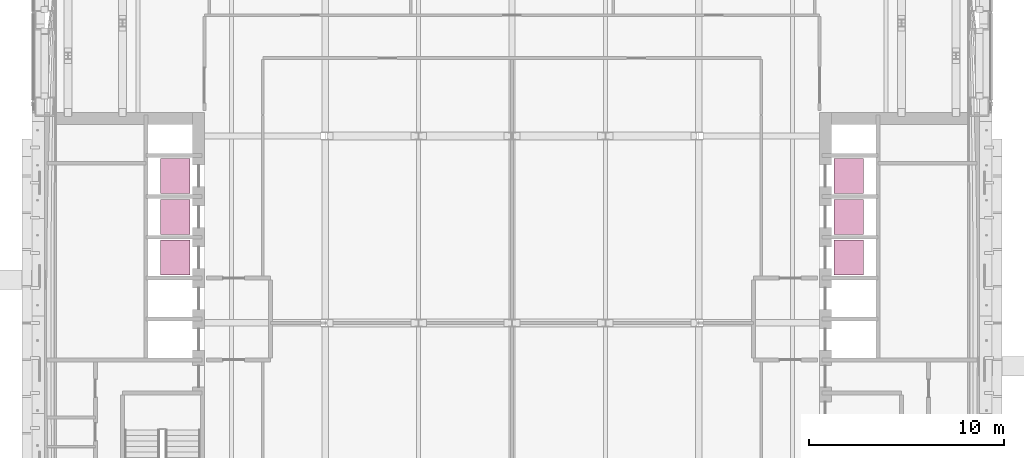
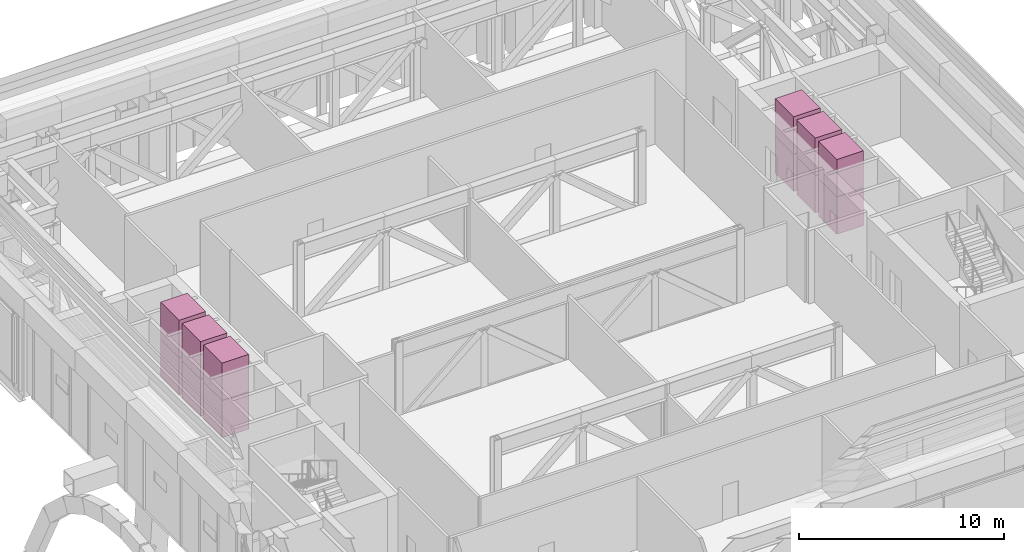
# One storey, part 39 of 39: 12 transport elements.
"""IFC4 building model written with IfcOpenShell, lengths in metres."""

import ifcopenshell
import ifcopenshell.guid

model = None  # the IFC model being written
_history = None  # IfcOwnerHistory: only IFC2X3 demands one
_inside = {}  # id of a spatial element -> (the spatial element, [elements in it])
_under = {}  # id of a project, library or spatial element -> (it, [spatial elements below it])
_declared = {}  # id of a project -> (the project, [libraries it declares])
_typed = {}  # id of a type object -> (the type object, [elements of that type])
_made_of = {}  # id of a material, layer set ... -> (it, [elements and type objects made of it])


def new_model(schema):
    """Start an empty IFC model of exactly this schema.

    Asked for "IFC4X3", IfcOpenShell would pick the latest addendum, in which some entities
    have other attributes; the version numbers below select the first issue.
    IFC2X3 requires an IfcOwnerHistory on every rooted entity: one is made here for all.
    """
    global model, _history
    if schema == "IFC4X3":
        model = ifcopenshell.file(schema_version=(4, 3, 0, 0))
    else:
        model = ifcopenshell.file(schema=schema)
    _inside.clear()
    _under.clear()
    _declared.clear()
    _typed.clear()
    _made_of.clear()
    _history = None
    if model.schema == "IFC2X3":
        org = make("IfcOrganization", Name="unknown")
        user = make(
            "IfcPersonAndOrganization",
            ThePerson=make("IfcPerson", FamilyName="unknown"),
            TheOrganization=org,
        )
        app = make(
            "IfcApplication",
            ApplicationDeveloper=org,
            Version="unknown",
            ApplicationFullName="unknown",
            ApplicationIdentifier="unknown",
        )
        _history = make(
            "IfcOwnerHistory",
            OwningUser=user,
            OwningApplication=app,
            ChangeAction="ADDED",
            CreationDate=0,
        )
    return model


def make(cls, **values):
    """One entity of the class cls with the attributes given. An attribute that is None is left unset."""
    return model.create_entity(
        cls, **{name: value for name, value in values.items() if value is not None}
    )


def rooted(cls, **values):
    """An entity with a GlobalId (a new one), such as an element, a storey or a relation."""
    return make(cls, GlobalId=ifcopenshell.guid.new(), OwnerHistory=_history, **values)


def si_unit(unit_type, name, prefix=None):
    """IfcSIUnit, for example si_unit("LENGTHUNIT", "METRE", prefix="MILLI")."""
    return make("IfcSIUnit", UnitType=unit_type, Prefix=prefix, Name=name)


def assignment(units):
    """IfcUnitAssignment: the units of a project."""
    return None if units is None else make("IfcUnitAssignment", Units=units)


def point(xyz):
    """IfcCartesianPoint."""
    return None if xyz is None else make("IfcCartesianPoint", Coordinates=xyz)


def direction(xyz):
    """IfcDirection."""
    return None if xyz is None else make("IfcDirection", DirectionRatios=xyz)


def frame(location, z_axis=None, x_axis=None):
    """IfcAxis2Placement3D, a coordinate frame: its origin and axes. An axis left out is left unset."""
    return make(
        "IfcAxis2Placement3D",
        Location=point(location),
        Axis=direction(z_axis),
        RefDirection=direction(x_axis),
    )


def frame_2d(location, x_axis=None):
    """IfcAxis2Placement2D, a coordinate frame in the plane: its origin and x axis."""
    return make(
        "IfcAxis2Placement2D", Location=point(location), RefDirection=direction(x_axis)
    )


def origin():
    """The frame at (0, 0, 0) with its axes left unset."""
    return frame((0.0, 0.0, 0.0))


def origin_2d():
    """The frame at (0, 0) in the plane with its x axis left unset."""
    return frame_2d((0.0, 0.0))


def place(relative_to, where):
    """IfcLocalPlacement: puts the frame where relative to a parent placement (None: the world)."""
    return make(
        "IfcLocalPlacement", PlacementRelTo=relative_to, RelativePlacement=where
    )


def context(
    kind, dimensions, precision=None, world=None, true_north=None, identifier=None
):
    """IfcGeometricRepresentationContext, for example the 3D "Model" context."""
    return make(
        "IfcGeometricRepresentationContext",
        ContextIdentifier=identifier,
        ContextType=kind,
        CoordinateSpaceDimension=dimensions,
        Precision=precision,
        WorldCoordinateSystem=world,
        TrueNorth=true_north,
    )


def subcontext(parent, identifier, kind, view, scale=None):
    """IfcGeometricRepresentationSubContext, for example "Body" below "Model"."""
    return make(
        "IfcGeometricRepresentationSubContext",
        ContextIdentifier=identifier,
        ContextType=kind,
        ParentContext=parent,
        TargetScale=scale,
        TargetView=view,
    )


def project(units=None, contexts=None):
    """IfcProject with its units and contexts."""
    return rooted(
        "IfcProject",
        Name="project",
        RepresentationContexts=contexts,
        UnitsInContext=assignment(units),
    )


def spatial(cls, under=None, at=None, **own):
    """A site, building, storey or space (cls), placed at a placement, below another one or the project."""
    s = rooted(cls, ObjectPlacement=at, **own)
    if under is not None:
        _under.setdefault(under.id(), (under, []))[1].append(s)
    return s


def profile(cls, at=None, kind="AREA", **sizes):
    """A parametric profile (cls). Its sizes go by their IFC names, for example OverallWidth=200.0."""
    return make(cls, ProfileType=kind, Position=at, **sizes)


def rectangle(**sizes):
    """IfcRectangleProfileDef."""
    return profile("IfcRectangleProfileDef", **sizes)


def extrude(swept, where, along, depth):
    """IfcExtrudedAreaSolid: the profile swept, set in the frame where, extruded along a direction by depth."""
    return make(
        "IfcExtrudedAreaSolid",
        SweptArea=swept,
        Position=where,
        ExtrudedDirection=direction(along),
        Depth=depth,
    )


def shape(context_of_items, identifier, shape_type, items):
    """IfcShapeRepresentation: the items that make up one representation, for example the "Body"."""
    return make(
        "IfcShapeRepresentation",
        ContextOfItems=context_of_items,
        RepresentationIdentifier=identifier,
        RepresentationType=shape_type,
        Items=items,
    )


def material(Name=None, Category=None):
    """IfcMaterial."""
    return make("IfcMaterial", Name=Name, Category=Category)


def made_of(thing, what):
    """Note that an element or type object is made of a material, layer set ...; save() writes the relation."""
    if what is not None:
        _made_of.setdefault(what.id(), (what, []))[1].append(thing)
    return thing


def type_object(cls, material=None, **own):
    """A type object (cls), such as IfcWallType, which elements share."""
    return made_of(rooted(cls, **own), material)


def element(
    cls,
    number,
    at=None,
    inside=None,
    cuts=None,
    type_object=None,
    material=None,
    context=None,
    identifier="Body",
    shape_type=None,
    held_by="IfcProductDefinitionShape",
    body=None,
    shapes=None,
    **own,
):
    """One element of the class cls, such as IfcWall. Its Tag is "e" and its number.

    at: its placement. inside: the storey or other place that contains it. cuts: it is an
    opening in that element (IfcRelVoidsElement). A single representation is given by context,
    identifier, shape_type and body (its items); several are given by shapes. held_by: the class
    of the entity that holds the representations. save() writes the other relations.
    """
    e = rooted(cls, Tag="e%d" % number, ObjectPlacement=at, **own)
    if body is not None:
        shapes = [shape(context, identifier, shape_type, body)]
    if shapes is not None:
        e.Representation = make(held_by, Representations=shapes)
    if inside is not None:
        _inside.setdefault(inside.id(), (inside, []))[1].append(e)
    if cuts is not None:
        rooted(
            "IfcRelVoidsElement", RelatingBuildingElement=cuts, RelatedOpeningElement=e
        )
    if type_object is not None:
        _typed.setdefault(type_object.id(), (type_object, []))[1].append(e)
    return made_of(e, material)


def aggregate(whole, parts):
    """IfcRelAggregates: a whole, such as a stair, and the parts it consists of."""
    return rooted("IfcRelAggregates", RelatingObject=whole, RelatedObjects=parts)


def save(model, path):
    """Write the relations noted so far, then the file.

    IfcRelAggregates (storeys below a building ...), IfcRelContainedInSpatialStructure (elements
    in a storey), IfcRelDefinesByType, IfcRelAssociatesMaterial and IfcRelDeclares: one each for
    every whole, place, type object, material and project.
    """
    for whole, parts in _under.values():
        aggregate(whole, parts)
    for where, things in _inside.values():
        rooted(
            "IfcRelContainedInSpatialStructure",
            RelatedElements=things,
            RelatingStructure=where,
        )
    for kind, things in _typed.values():
        rooted("IfcRelDefinesByType", RelatedObjects=things, RelatingType=kind)
    for what, things in _made_of.values():
        rooted("IfcRelAssociatesMaterial", RelatedObjects=things, RelatingMaterial=what)
    for by, libraries in _declared.values():
        rooted("IfcRelDeclares", RelatingContext=by, RelatedDefinitions=libraries)
    model.write(path)


model = new_model("IFC4")

# Units and contexts
model_context = context("Model", 3, precision=1e-05, world=origin(), true_north=direction((0.0, 1.0)))
body_context = subcontext(model_context, "Body", "Model", "MODEL_VIEW")
ifc_project = project(units=[si_unit("LENGTHUNIT", "METRE"), si_unit("AREAUNIT", "SQUARE_METRE"), si_unit("VOLUMEUNIT", "CUBIC_METRE"), si_unit("PLANEANGLEUNIT", "RADIAN"), si_unit("MASSUNIT", "GRAM", prefix="KILO")], contexts=[model_context])

# Site, building, storey
site_placement = place(None, origin())
site = spatial("IfcSite", under=ifc_project, at=site_placement, CompositionType="ELEMENT")
building_placement = place(site_placement, origin())
building = spatial("IfcBuilding", under=site, at=building_placement, Name="Cobrizo Arcos Hotel Tower", CompositionType="ELEMENT")
storey_placement = place(building_placement, frame((0.0, 0.0, 84.5)))
storey = spatial("IfcBuildingStorey", under=building, at=storey_placement, Name="L20", CompositionType="ELEMENT", Elevation=84.5)

# Transport elements
ifc_material = material(Name="Stainless steel car", Category="steel")
transport_element_type = type_object("IfcTransportElementType", Name="Lift car Low 1.8x1.5", PredefinedType="ELEVATOR", material=ifc_material)
for number, where, z_axis, x_axis, name in (
    (1, (-17.300048828125, 3.35009765625, 0.0), (0.0, 0.0, 1.0), (1.0, 0.0, 0.0), "Low-rise passenger lift W1"),
    (2, (-17.300048828125, 3.35009765625, 2.224853515625), (0.0, 0.0, 1.0), (1.0, 0.0, 0.0), "Low-rise passenger lift W1"),
    (3, (-17.300048828125, 5.449951171875, 0.0), (0.0, 0.0, 1.0), (1.0, 0.0, 0.0), "Low-rise passenger lift W2"),
    (4, (-17.300048828125, 5.449951171875, 2.224853515625), (0.0, 0.0, 1.0), (1.0, 0.0, 0.0), "Low-rise passenger lift W2"),
    (5, (-17.300048828125, 7.550048828125, 0.0), (0.0, 0.0, 1.0), (1.0, 0.0, 0.0), "Low-rise passenger lift W3"),
    (6, (-17.300048828125, 7.550048828125, 2.224853515625), (0.0, 0.0, 1.0), (1.0, 0.0, 0.0), "Low-rise passenger lift W3"),
    (7, (17.300048828125, 3.35009765625, 0.0), (0.0, 0.0, 1.0), (1.0, 0.0, 0.0), "Low-rise passenger lift E1"),
    (8, (17.300048828125, 3.35009765625, 2.224853515625), (0.0, 0.0, 1.0), (1.0, 0.0, 0.0), "Low-rise passenger lift E1"),
    (9, (17.300048828125, 5.449951171875, 0.0), (0.0, 0.0, 1.0), (1.0, 0.0, 0.0), "Low-rise passenger lift E2"),
    (10, (17.300048828125, 5.449951171875, 2.224853515625), (0.0, 0.0, 1.0), (1.0, 0.0, 0.0), "Low-rise passenger lift E2"),
    (11, (17.300048828125, 7.550048828125, 0.0), (0.0, 0.0, 1.0), (1.0, 0.0, 0.0), "Low-rise passenger lift E3"),
    (12, (17.300048828125, 7.550048828125, 2.224853515625), (0.0, 0.0, 1.0), (1.0, 0.0, 0.0), "Low-rise passenger lift E3"),
):
    element("IfcTransportElement", number, at=place(storey_placement, frame(where, z_axis=z_axis, x_axis=x_axis)), inside=storey, type_object=transport_element_type, Name=name, PredefinedType="ELEVATOR", context=body_context, shape_type="SweptSolid", body=[
        extrude(rectangle(XDim=1.5, YDim=1.800048828125, at=origin_2d()), origin(), (0.0, 0.0, 1.0), 2.22509765625),
    ])

save(model, "model.ifc")
